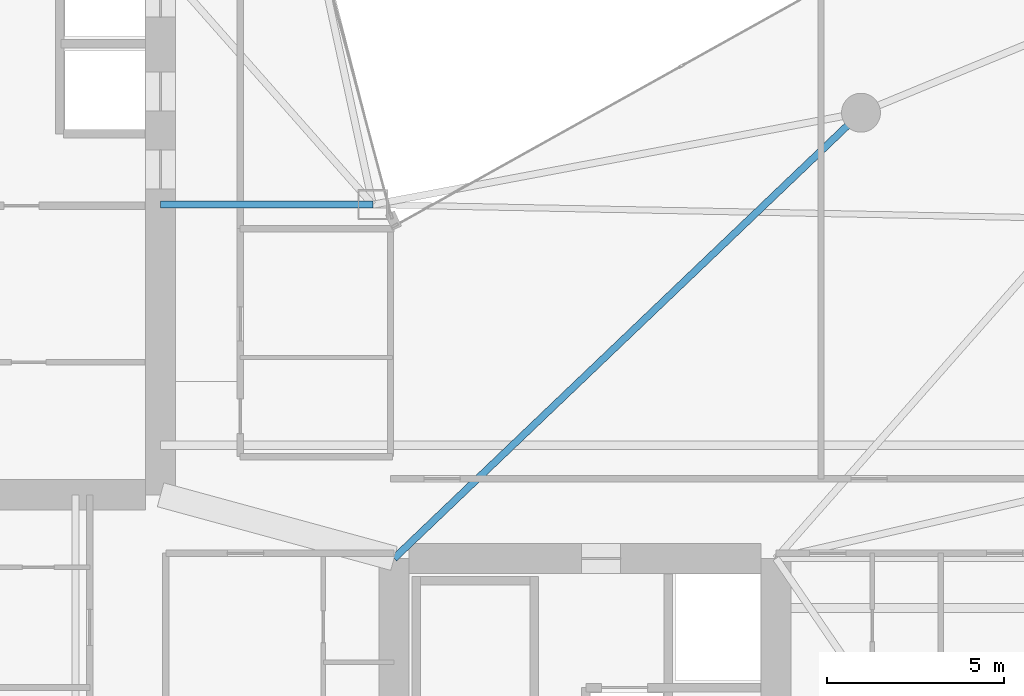
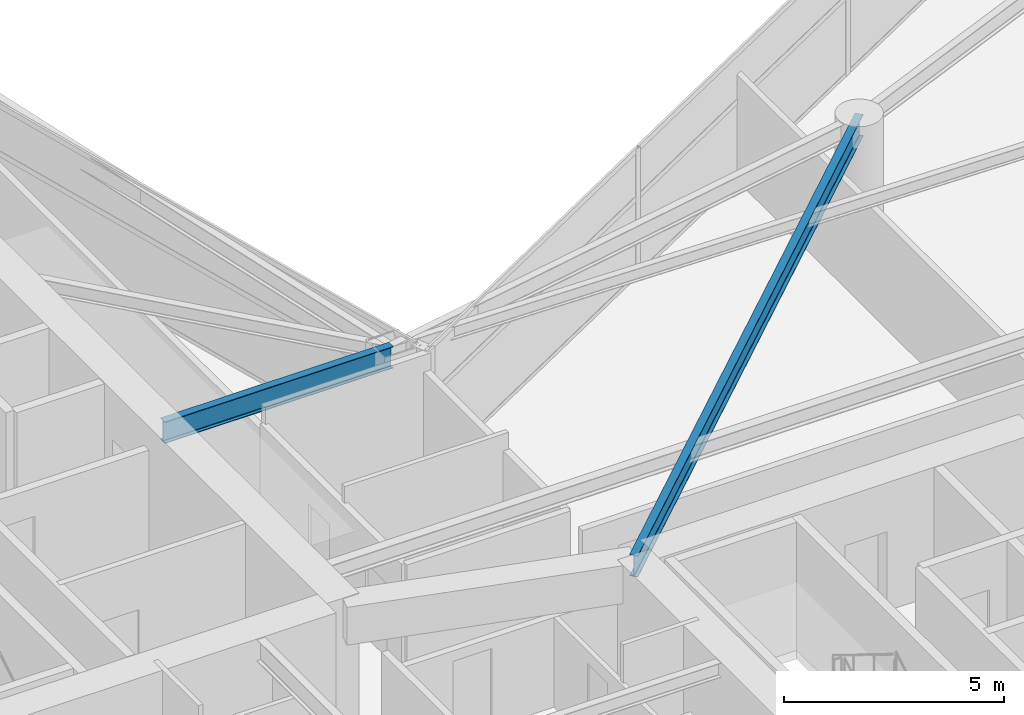
# One storey, part 9 of 29: 2 beams.
"""IFC4 building model written with IfcOpenShell, lengths in metres."""

from ifc_helpers import new_model, si_unit, direction, frame, origin, origin_2d, place, context, subcontext, project, spatial, i_section, extrude, material, material_profile, profile_set, type_object, element, save


model = new_model("IFC4")

# Units and contexts
model_context = context("Model", 3, precision=1e-05, world=origin(), true_north=direction((0.0, 1.0)))
body_context = subcontext(model_context, "Body", "Model", "MODEL_VIEW")
ifc_project = project(units=[si_unit("LENGTHUNIT", "METRE"), si_unit("AREAUNIT", "SQUARE_METRE"), si_unit("VOLUMEUNIT", "CUBIC_METRE"), si_unit("PLANEANGLEUNIT", "RADIAN"), si_unit("MASSUNIT", "GRAM", prefix="KILO")], contexts=[model_context])

# Site, building, storey
site_placement = place(None, origin())
site = spatial("IfcSite", under=ifc_project, at=site_placement, CompositionType="ELEMENT")
building_placement = place(site_placement, origin())
building = spatial("IfcBuilding", under=site, at=building_placement, Name="Calvorn Quay Hotel", CompositionType="ELEMENT")
storey_placement = place(building_placement, frame((0.0, 0.0, 171.300048828125)))
storey = spatial("IfcBuildingStorey", under=building, at=storey_placement, Name="L42", CompositionType="ELEMENT", Elevation=171.300048828125)

# Beams
ifc_material = material(Name="Steel Q355B", Category="steel")
ifc_material_profile = material_profile(ifc_material, i_section(OverallWidth=0.199951171875, OverallDepth=0.60009765625, WebThickness=0.010986328125, FlangeThickness=0.01708984375, FilletRadius=0.01806640625, at=origin_2d()), Name="HN600x200x11x17")
ifc_profile_set = profile_set([ifc_material_profile], Name="Steel Q355B")
beam_type = type_object("IfcBeamType", Name="BM-GIRD-TYP", PredefinedType="BEAM", material=ifc_profile_set)
beam_1_placement = place(storey_placement, frame((21.0, 25.0, 3.239990234375), z_axis=(-1.0, 0.0, 0.0), x_axis=(0.0, -1.0, 0.0)))
element("IfcBeam", 1, at=beam_1_placement, inside=storey, type_object=beam_type, Name="Beam BG-L42-W7", PredefinedType="BEAM", context=body_context, shape_type="SweptSolid", body=[
    extrude(i_section(OverallWidth=0.199951171875, OverallDepth=0.60009765625, WebThickness=0.010986328125, FlangeThickness=0.01708984375, FilletRadius=0.01806640625, at=origin_2d()), origin(), (0.0, 0.0, 1.0), 6.0),
])
beam_2_placement = place(storey_placement, frame((21.60009765625, 15.0, 3.239990234375), z_axis=(0.723351595578, 0.690479883252, 0.0), x_axis=(-0.690479883252, 0.723351595578, 0.0)))
element("IfcBeam", 2, at=beam_2_placement, inside=storey, type_object=beam_type, Name="Beam BG-L42-E4", PredefinedType="BEAM", context=body_context, shape_type="SweptSolid", body=[
    extrude(i_section(OverallWidth=0.199951171875, OverallDepth=0.60009765625, WebThickness=0.010986328125, FlangeThickness=0.01708984375, FilletRadius=0.01806640625, at=origin_2d()), origin(), (0.0, 0.0, 1.0), 18.248291015625),
])

save(model, "model.ifc")
